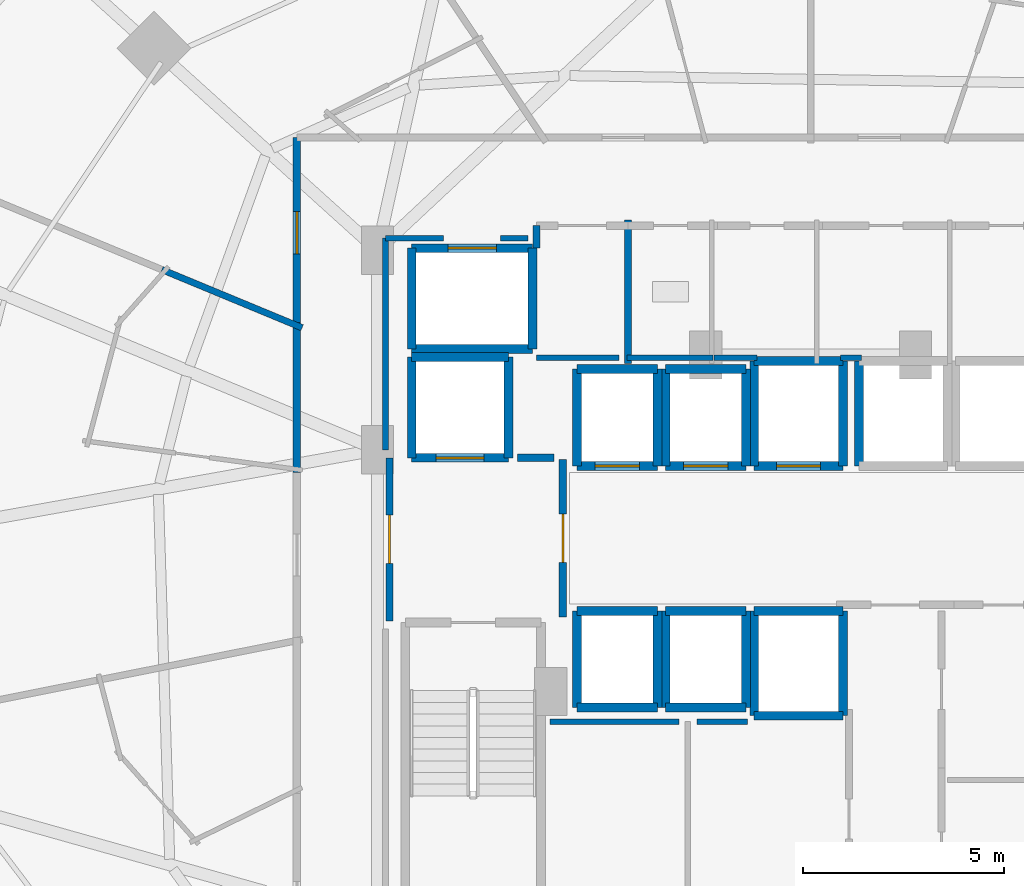
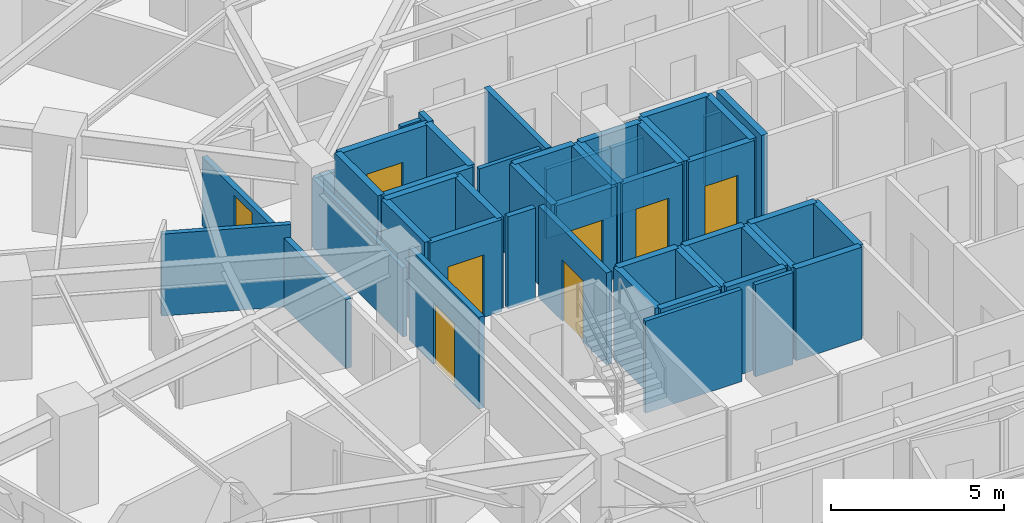
# One storey, part 28 of 35: 50 walls, 8 doors, 8 openings.
"""IFC4 building model written with IfcOpenShell, lengths in metres."""

from ifc_helpers import new_model, si_unit, direction, frame, frame_2d, origin, place, context, subcontext, project, spatial, rectangle, extrude, material, layer, layer_set, type_object, element, fill, save


model = new_model("IFC4")

# Units and contexts
model_context = context("Model", 3, precision=1e-05, world=origin(), true_north=direction((0.0, 1.0)))
body_context = subcontext(model_context, "Body", "Model", "MODEL_VIEW")
ifc_project = project(units=[si_unit("LENGTHUNIT", "METRE"), si_unit("AREAUNIT", "SQUARE_METRE"), si_unit("VOLUMEUNIT", "CUBIC_METRE"), si_unit("PLANEANGLEUNIT", "RADIAN"), si_unit("MASSUNIT", "GRAM", prefix="KILO")], contexts=[model_context])

# Site, building, storey
site_placement = place(None, origin())
site = spatial("IfcSite", under=ifc_project, at=site_placement, CompositionType="ELEMENT")
building_placement = place(site_placement, origin())
building = spatial("IfcBuilding", under=site, at=building_placement, Name="Vorneva Point Tower", CompositionType="ELEMENT")
storey_placement = place(building_placement, frame((0.0, 0.0, 45.0)))
storey = spatial("IfcBuildingStorey", under=building, at=storey_placement, Name="L11", CompositionType="ELEMENT", Elevation=45.0)

# Wall, opening, door
ifc_material_1 = material(Name="Concrete B60 (C50/60)", Category="concrete")
ifc_layer_1 = layer(ifc_material_1, 0.5)
ifc_layer_set_1 = layer_set([ifc_layer_1], Name="Concrete B60 (C50/60)")
wall_type_1 = type_object("IfcWallType", Name="WL-CORE-500", PredefinedType="SHEAR", material=ifc_layer_set_1)
wall_1_placement = place(storey_placement, frame((28.10009765625, 28.0, 0.0), z_axis=(0.0, 0.0, 1.0), x_axis=(1.0, 0.0, 0.0)))
wall_1 = element("IfcWall", 1, at=wall_1_placement, inside=storey, type_object=wall_type_1, Name="L11 Lift FFL1 Shaft Wall -Y", PredefinedType="SHEAR", context=body_context, shape_type="SweptSolid", body=[
    extrude(rectangle(XDim=2.39990234375, YDim=0.219970703125, at=frame_2d((1.199951171875, 0.0))), origin(), (0.0, 0.0, 1.0), 3.239990234375),
])
opening_1_placement = place(wall_1_placement, frame((0.60009765625, 0.0, 0.0)))
opening_1 = element("IfcOpeningElement", 2, at=opening_1_placement, cuts=wall_1, Name="Opening LD-02", PredefinedType="OPENING", context=body_context, shape_type="SweptSolid", body=[
    extrude(rectangle(XDim=1.199951171875, YDim=2.199951171875, at=frame_2d((0.60009765625, 1.10009765625))), frame((0.0, 0.125, 0.0), z_axis=(0.0, -1.0, 0.0), x_axis=(1.0, 0.0, 0.0)), (0.0, 0.0, 1.0), 0.249755859375),
])
ifc_material_2 = material(Name="Brushed stainless steel S304", Category="steel")
door_type_1 = type_object("IfcDoorType", Name="LD-FIRE-1200", OperationType="SLIDING_TO_LEFT", PredefinedType="DOOR", material=ifc_material_2)
door_1_placement = place(opening_1_placement, origin())
door_1 = element("IfcDoor", 3, at=door_1_placement, inside=storey, type_object=door_type_1, Name="L11 Lift FFL1 Sliding Landing Door", OperationType="SLIDING_TO_LEFT", OverallHeight=2.199951171875, OverallWidth=1.199951171875, PredefinedType="DOOR", context=body_context, shape_type="SweptSolid", body=[
    extrude(rectangle(XDim=1.199951171875, YDim=2.199951171875, at=frame_2d((0.60009765625, 1.10009765625))), frame((0.0, 0.02490234375, 0.0), z_axis=(0.0, -1.0, 0.0), x_axis=(1.0, 0.0, 0.0)), (0.0, 0.0, 1.0), 0.050048828125),
])
fill(opening_1, door_1)

# Walls
wall_2_placement = place(storey_placement, frame((30.5, 28.0, 0.0), z_axis=(0.0, 0.0, 1.0), x_axis=(0.0, 1.0, 0.0)))
element("IfcWall", 4, at=wall_2_placement, inside=storey, type_object=wall_type_1, Name="L11 Lift FFL1 Shaft Wall +X", PredefinedType="SHEAR", context=body_context, shape_type="SweptSolid", body=[
    extrude(rectangle(XDim=2.5, YDim=0.219970703125, at=frame_2d((1.25, 0.0))), origin(), (0.0, 0.0, 1.0), 3.239990234375),
])
wall_3_placement = place(storey_placement, frame((30.5, 30.5, 0.0), z_axis=(0.0, 0.0, 1.0), x_axis=(-1.0, 0.0, 0.0)))
element("IfcWall", 5, at=wall_3_placement, inside=storey, type_object=wall_type_1, Name="L11 Lift FFL1 Shaft Wall +Y", PredefinedType="SHEAR", context=body_context, shape_type="SweptSolid", body=[
    extrude(rectangle(XDim=2.39990234375, YDim=0.219970703125, at=frame_2d((1.199951171875, 0.0))), origin(), (0.0, 0.0, 1.0), 3.239990234375),
])
wall_4_placement = place(storey_placement, frame((28.10009765625, 30.5, 0.0), z_axis=(0.0, 0.0, 1.0), x_axis=(0.0, -1.0, 0.0)))
element("IfcWall", 6, at=wall_4_placement, inside=storey, type_object=wall_type_1, Name="L11 Lift FFL1 Shaft Wall -X", PredefinedType="SHEAR", context=body_context, shape_type="SweptSolid", body=[
    extrude(rectangle(XDim=2.5, YDim=0.219970703125, at=frame_2d((1.25, 0.0))), origin(), (0.0, 0.0, 1.0), 3.239990234375),
])
ifc_material_3 = material(Name="Fire-rated acoustic gypsum stud partition", Category="gypsum")
ifc_layer_2 = layer(ifc_material_3, 0.139892578125)
ifc_layer_set_2 = layer_set([ifc_layer_2], Name="Fire-rated acoustic gypsum stud partition")
wall_type_2 = type_object("IfcWallType", Name="WL-PART-140", PredefinedType="PARTITIONING", material=ifc_layer_set_2)
wall_5_placement = place(storey_placement, frame((31.199951171875, 30.47998046875, 0.0), z_axis=(0.0, 0.0, 1.0), x_axis=(1.0, 0.0, 0.0)))
element("IfcWall", 7, at=wall_5_placement, inside=storey, type_object=wall_type_2, Name="L11 Interior Closure Partition 093", PredefinedType="PARTITIONING", context=body_context, shape_type="SweptSolid", body=[
    extrude(rectangle(XDim=2.050048828125, YDim=0.139892578125, at=frame_2d((1.02490234375, 0.0))), origin(), (0.0, 0.0, 1.0), 3.239990234375),
])
wall_6_placement = place(storey_placement, frame((33.43994140625, 30.47998046875, 0.0), z_axis=(0.0, 0.0, 1.0), x_axis=(1.0, 0.0, 0.0)))
element("IfcWall", 8, at=wall_6_placement, inside=storey, type_object=wall_type_2, Name="L11 Interior Closure Partition 094", PredefinedType="PARTITIONING", context=body_context, shape_type="SweptSolid", body=[
    extrude(rectangle(XDim=2.14013671875, YDim=0.139892578125, at=frame_2d((1.070068359375, 0.0))), origin(), (0.0, 0.0, 1.0), 2.431884765625),
])
wall_7_placement = place(storey_placement, frame((35.60009765625, 30.47998046875, 0.0), z_axis=(0.0, 0.0, 1.0), x_axis=(1.0, 0.0, 0.0)))
element("IfcWall", 9, at=wall_7_placement, inside=storey, type_object=wall_type_2, Name="L11 Interior Closure Partition 095", PredefinedType="PARTITIONING", context=body_context, shape_type="SweptSolid", body=[
    extrude(rectangle(XDim=1.06494140625, YDim=0.139892578125, at=frame_2d((0.532470703125, 0.0))), origin(), (0.0, 0.0, 1.0), 2.431884765625),
])
wall_8_placement = place(storey_placement, frame((38.735107421875, 30.47998046875, 0.0), z_axis=(0.0, 0.0, 1.0), x_axis=(1.0, 0.0, 0.0)))
element("IfcWall", 10, at=wall_8_placement, inside=storey, type_object=wall_type_2, Name="L11 Interior Closure Partition 096", PredefinedType="PARTITIONING", context=body_context, shape_type="SweptSolid", body=[
    extrude(rectangle(XDim=0.52978515625, YDim=0.139892578125, at=frame_2d((0.264892578125, 0.0))), origin(), (0.0, 0.0, 1.0), 2.431884765625),
])
wall_9_placement = place(storey_placement, frame((34.72998046875, 21.449951171875, 0.0), z_axis=(0.0, 0.0, 1.0), x_axis=(-1.0, 0.0, 0.0)))
element("IfcWall", 11, at=wall_9_placement, inside=storey, type_object=wall_type_2, Name="L11 Interior Closure Partition 098", PredefinedType="PARTITIONING", context=body_context, shape_type="SweptSolid", body=[
    extrude(rectangle(XDim=3.199951171875, YDim=0.139892578125, at=frame_2d((1.60009765625, 0.0))), origin(), (0.0, 0.0, 1.0), 3.239990234375),
])
wall_10_placement = place(storey_placement, frame((36.43896484375, 21.449951171875, 0.0), z_axis=(0.0, 0.0, 1.0), x_axis=(-1.0, 0.0, 0.0)))
element("IfcWall", 12, at=wall_10_placement, inside=storey, type_object=wall_type_2, Name="L11 Interior Closure Partition 099", PredefinedType="PARTITIONING", context=body_context, shape_type="SweptSolid", body=[
    extrude(rectangle(XDim=1.259033203125, YDim=0.139892578125, at=frame_2d((0.62939453125, 0.0))), origin(), (0.0, 0.0, 1.0), 3.239990234375),
])
wall_11_placement = place(storey_placement, frame((27.449951171875, 28.196044921875, 0.0), z_axis=(0.0, 0.0, 1.0), x_axis=(0.0, 1.0, 0.0)))
element("IfcWall", 13, at=wall_11_placement, inside=storey, type_object=wall_type_2, Name="L11 Interior Closure Partition 106", PredefinedType="PARTITIONING", context=body_context, shape_type="SweptSolid", body=[
    extrude(rectangle(XDim=5.25390625, YDim=0.139892578125, at=frame_2d((2.626953125, 0.0))), origin(), (0.0, 0.0, 1.0), 2.431884765625),
])
wall_12_placement = place(storey_placement, frame((27.449951171875, 33.449951171875, 0.0), z_axis=(0.0, 0.0, 1.0), x_axis=(1.0, 0.0, 0.0)))
element("IfcWall", 14, at=wall_12_placement, inside=storey, type_object=wall_type_2, Name="L11 Interior Closure Partition 107", PredefinedType="PARTITIONING", context=body_context, shape_type="SweptSolid", body=[
    extrude(rectangle(XDim=1.444091796875, YDim=0.139892578125, at=frame_2d((0.72216796875, 0.0))), origin(), (0.0, 0.0, 1.0), 2.431884765625),
])
wall_13_placement = place(storey_placement, frame((30.305908203125, 33.449951171875, 0.0), z_axis=(0.0, 0.0, 1.0), x_axis=(1.0, 0.0, 0.0)))
element("IfcWall", 15, at=wall_13_placement, inside=storey, type_object=wall_type_2, Name="L11 Interior Closure Partition 108", PredefinedType="PARTITIONING", context=body_context, shape_type="SweptSolid", body=[
    extrude(rectangle(XDim=0.674072265625, YDim=0.139892578125, at=frame_2d((0.3369140625, 0.0))), origin(), (0.0, 0.0, 1.0), 3.239990234375),
])
ifc_layer_3 = layer(ifc_material_3, 0.159912109375)
ifc_layer_set_3 = layer_set([ifc_layer_3], Name="Fire-rated acoustic gypsum stud partition")
wall_type_3 = type_object("IfcWallType", Name="WL-PART-160", PredefinedType="PARTITIONING", material=ifc_layer_set_3)
wall_14_placement = place(storey_placement, frame((21.898681640625, 32.66943359375, 0.0), z_axis=(0.0, 0.0, 1.0), x_axis=(0.923843852071, -0.382769561211, 0.0)))
element("IfcWall", 16, at=wall_14_placement, inside=storey, type_object=wall_type_3, Name="L11 Interior Partition 068", PredefinedType="PARTITIONING", context=body_context, shape_type="SweptSolid", body=[
    extrude(rectangle(XDim=3.767578125, YDim=0.159912109375, at=frame_2d((1.8837890625, 0.0))), origin(), (0.0, 0.0, 1.0), 2.885986328125),
])

# Wall, opening, door
ifc_material_4 = material(Name="Autoclaved aerated concrete blockwork", Category="masonry")
ifc_layer_4 = layer(ifc_material_4, 0.179931640625)
ifc_layer_set_4 = layer_set([ifc_layer_4], Name="Autoclaved aerated concrete blockwork")
wall_type_4 = type_object("IfcWallType", Name="WL-PART-180", PredefinedType="PARTITIONING", material=ifc_layer_set_4)
wall_15_placement = place(storey_placement, frame((31.85009765625, 24.044921875, 0.0), z_axis=(0.0, 0.0, 1.0), x_axis=(0.0, 1.0, 0.0)))
wall_15 = element("IfcWall", 17, at=wall_15_placement, inside=storey, type_object=wall_type_4, Name="L11 Interior Partition 001", PredefinedType="PARTITIONING", context=body_context, shape_type="SweptSolid", body=[
    extrude(rectangle(XDim=3.91015625, YDim=0.179931640625, at=frame_2d((1.955078125, 0.0))), origin(), (0.0, 0.0, 1.0), 3.239990234375),
])
opening_2_placement = place(wall_15_placement, frame((1.35498046875, 0.0, 0.0)))
opening_2 = element("IfcOpeningElement", 18, at=opening_2_placement, cuts=wall_15, Name="Opening FD-02", PredefinedType="OPENING", context=body_context, shape_type="SweptSolid", body=[
    extrude(rectangle(XDim=1.199951171875, YDim=2.14990234375, at=frame_2d((0.60009765625, 1.074951171875))), frame((0.0, 0.10498046875, 0.0), z_axis=(0.0, -1.0, 0.0), x_axis=(1.0, 0.0, 0.0)), (0.0, 0.0, 1.0), 0.209716796875),
])
ifc_material_5 = material(Name="Fire-rated powder-coated steel", Category="steel")
door_type_2 = type_object("IfcDoorType", Name="DR-FFL-1200", OperationType="NOTDEFINED", PredefinedType="DOOR", material=ifc_material_5)
door_2_placement = place(opening_2_placement, origin())
door_2 = element("IfcDoor", 19, at=door_2_placement, inside=storey, type_object=door_type_2, Name="L11 Door West Firefighting Lobby / Central Lift Lobby", OperationType="SINGLE_SWING_LEFT", OverallHeight=2.14990234375, OverallWidth=1.199951171875, PredefinedType="DOOR", context=body_context, shape_type="SweptSolid", body=[
    extrude(rectangle(XDim=1.199951171875, YDim=2.14990234375, at=frame_2d((0.60009765625, 1.074951171875))), frame((0.0, 0.02490234375, 0.0), z_axis=(0.0, -1.0, 0.0), x_axis=(1.0, 0.0, 0.0)), (0.0, 0.0, 1.0), 0.050048828125),
])
fill(opening_2, door_2)

wall_16_placement = place(storey_placement, frame((27.550048828125, 28.0, 0.0), z_axis=(0.0, 0.0, 1.0), x_axis=(0.0, -1.0, 0.0)))
wall_16 = element("IfcWall", 20, at=wall_16_placement, inside=storey, type_object=wall_type_4, Name="L11 Interior Partition 002", PredefinedType="PARTITIONING", context=body_context, shape_type="SweptSolid", body=[
    extrude(rectangle(XDim=4.050048828125, YDim=0.179931640625, at=frame_2d((2.02490234375, 0.0))), origin(), (0.0, 0.0, 1.0), 3.239990234375),
])
opening_3_placement = place(wall_16_placement, frame((1.425048828125, 0.0, 0.0)))
opening_3 = element("IfcOpeningElement", 21, at=opening_3_placement, cuts=wall_16, Name="Opening FD-02", PredefinedType="OPENING", context=body_context, shape_type="SweptSolid", body=[
    extrude(rectangle(XDim=1.199951171875, YDim=2.14990234375, at=frame_2d((0.60009765625, 1.074951171875))), frame((0.0, 0.10498046875, 0.0), z_axis=(0.0, -1.0, 0.0), x_axis=(1.0, 0.0, 0.0)), (0.0, 0.0, 1.0), 0.209716796875),
])
door_3_placement = place(opening_3_placement, origin())
door_3 = element("IfcDoor", 22, at=door_3_placement, inside=storey, type_object=door_type_2, Name="L11 Door West Firefighting Lobby / L11 Circulation Corridor", OperationType="SINGLE_SWING_RIGHT", OverallHeight=2.14990234375, OverallWidth=1.199951171875, PredefinedType="DOOR", context=body_context, shape_type="SweptSolid", body=[
    extrude(rectangle(XDim=1.199951171875, YDim=2.14990234375, at=frame_2d((0.60009765625, 1.074951171875))), frame((0.0, 0.02490234375, 0.0), z_axis=(0.0, -1.0, 0.0), x_axis=(1.0, 0.0, 0.0)), (0.0, 0.0, 1.0), 0.050048828125),
])
fill(opening_3, door_3)

# Walls
wall_17_placement = place(storey_placement, frame((33.469970703125, 30.340087890625, 0.0), z_axis=(0.0, 0.0, 1.0), x_axis=(0.0, 1.0, 0.0)))
element("IfcWall", 23, at=wall_17_placement, inside=storey, type_object=wall_type_4, Name="L11 Interior Partition 006", PredefinedType="PARTITIONING", context=body_context, shape_type="SweptSolid", body=[
    extrude(rectangle(XDim=3.559814453125, YDim=0.179931640625, at=frame_2d((1.77978515625, 0.0))), origin(), (0.0, 0.0, 1.0), 3.239990234375),
])
wall_18_placement = place(storey_placement, frame((31.199951171875, 33.760009765625, 0.0), z_axis=(0.0, 0.0, 1.0), x_axis=(0.0, -1.0, 0.0)))
element("IfcWall", 24, at=wall_18_placement, inside=storey, type_object=wall_type_4, Name="L11 Interior Partition 008", PredefinedType="PARTITIONING", context=body_context, shape_type="SweptSolid", body=[
    extrude(rectangle(XDim=0.56005859375, YDim=0.179931640625, at=frame_2d((0.280029296875, 0.0))), origin(), (0.0, 0.0, 1.0), 3.239990234375),
])

# Wall, opening, door
wall_19_placement = place(storey_placement, frame((25.25, 35.949951171875, 0.0), z_axis=(0.0, 0.0, 1.0), x_axis=(0.0, -1.0, 0.0)))
wall_19 = element("IfcWall", 25, at=wall_19_placement, inside=storey, type_object=wall_type_4, Name="L11 Interior Partition 035", PredefinedType="PARTITIONING", context=body_context, shape_type="SweptSolid", body=[
    extrude(rectangle(XDim=4.72900390625, YDim=0.179931640625, at=frame_2d((2.364501953125, 0.0))), origin(), (0.0, 0.0, 1.0), 2.431884765625),
])
opening_4_placement = place(wall_19_placement, frame((1.839599609375, 0.0, 0.0)))
opening_4 = element("IfcOpeningElement", 26, at=opening_4_placement, cuts=wall_19, Name="Opening UD-02", PredefinedType="OPENING", context=body_context, shape_type="SweptSolid", body=[
    extrude(rectangle(XDim=1.050048828125, YDim=2.199951171875, at=frame_2d((0.52490234375, 1.10009765625))), frame((0.0, 0.10498046875, 0.0), z_axis=(0.0, -1.0, 0.0), x_axis=(1.0, 0.0, 0.0)), (0.0, 0.0, 1.0), 0.209716796875),
])
ifc_material_6 = material(Name="Engineered oak fire-rated door leaf", Category="wood")
door_type_3 = type_object("IfcDoorType", Name="DR-SUITE-1050", OperationType="NOTDEFINED", PredefinedType="DOOR", material=ifc_material_6)
door_4_placement = place(opening_4_placement, origin())
door_4 = element("IfcDoor", 27, at=door_4_placement, inside=storey, type_object=door_type_3, Name="L11 Door L11 Circulation Corridor / Corner Suite L11-04", OperationType="SINGLE_SWING_RIGHT", OverallHeight=2.199951171875, OverallWidth=1.050048828125, PredefinedType="DOOR", context=body_context, shape_type="SweptSolid", body=[
    extrude(rectangle(XDim=1.050048828125, YDim=2.199951171875, at=frame_2d((0.52490234375, 1.10009765625))), frame((0.0, 0.02490234375, 0.0), z_axis=(0.0, -1.0, 0.0), x_axis=(1.0, 0.0, 0.0)), (0.0, 0.0, 1.0), 0.050048828125),
])
fill(opening_4, door_4)

# Walls
wall_20_placement = place(storey_placement, frame((25.25, 31.361083984375, 0.0), z_axis=(0.0, 0.0, 1.0), x_axis=(0.0, -1.0, 0.0)))
element("IfcWall", 28, at=wall_20_placement, inside=storey, type_object=wall_type_4, Name="L11 Interior Partition 038", PredefinedType="PARTITIONING", context=body_context, shape_type="SweptSolid", body=[
    extrude(rectangle(XDim=3.72705078125, YDim=0.179931640625, at=frame_2d((1.863525390625, 0.0))), origin(), (0.0, 0.0, 1.0), 2.431884765625),
])
wall_21_placement = place(storey_placement, frame((31.635009765625, 28.0, 0.0), z_axis=(0.0, 0.0, 1.0), x_axis=(-1.0, 0.0, 0.0)))
element("IfcWall", 29, at=wall_21_placement, inside=storey, type_object=wall_type_4, Name="L11 Interior Closure Partition 091", PredefinedType="PARTITIONING", context=body_context, shape_type="SweptSolid", body=[
    extrude(rectangle(XDim=0.9150390625, YDim=0.179931640625, at=frame_2d((0.45751953125, 0.0))), origin(), (0.0, 0.0, 1.0), 3.239990234375),
])

# Wall, opening, door
ifc_material_7 = material(Name="Concrete B50 (C40/50)", Category="concrete")
ifc_layer_5 = layer(ifc_material_7, 0.219970703125)
ifc_layer_set_5 = layer_set([ifc_layer_5], Name="Concrete B50 (C40/50)")
wall_type_5 = type_object("IfcWallType", Name="WL-SHFT-220", PredefinedType="SOLIDWALL", material=ifc_layer_set_5)
wall_22_placement = place(storey_placement, frame((32.199951171875, 27.800048828125, 0.0), z_axis=(0.0, 0.0, 1.0), x_axis=(1.0, 0.0, 0.0)))
wall_22 = element("IfcWall", 30, at=wall_22_placement, inside=storey, type_object=wall_type_5, Name="L11 Lift PL1 Shaft Wall -Y", PredefinedType="SOLIDWALL", context=body_context, shape_type="SweptSolid", body=[
    extrude(rectangle(XDim=2.0, YDim=0.219970703125, at=frame_2d((1.0, 0.0))), origin(), (0.0, 0.0, 1.0), 3.239990234375),
])
opening_5_placement = place(wall_22_placement, frame((0.449951171875, 0.0, 0.0)))
opening_5 = element("IfcOpeningElement", 31, at=opening_5_placement, cuts=wall_22, Name="Opening LD-01", PredefinedType="OPENING", context=body_context, shape_type="SweptSolid", body=[
    extrude(rectangle(XDim=1.10009765625, YDim=2.199951171875, at=frame_2d((0.550048828125, 1.10009765625))), frame((0.0, 0.125, 0.0), z_axis=(0.0, -1.0, 0.0), x_axis=(1.0, 0.0, 0.0)), (0.0, 0.0, 1.0), 0.249755859375),
])
door_type_4 = type_object("IfcDoorType", Name="LD-PASS-1100", OperationType="SLIDING_TO_LEFT", PredefinedType="DOOR", material=ifc_material_2)
door_5_placement = place(opening_5_placement, origin())
door_5 = element("IfcDoor", 32, at=door_5_placement, inside=storey, type_object=door_type_4, Name="L11 Lift PL1 Sliding Landing Door", OperationType="SLIDING_TO_LEFT", OverallHeight=2.199951171875, OverallWidth=1.10009765625, PredefinedType="DOOR", context=body_context, shape_type="SweptSolid", body=[
    extrude(rectangle(XDim=1.10009765625, YDim=2.199951171875, at=frame_2d((0.550048828125, 1.10009765625))), frame((0.0, 0.02490234375, 0.0), z_axis=(0.0, -1.0, 0.0), x_axis=(1.0, 0.0, 0.0)), (0.0, 0.0, 1.0), 0.050048828125),
])
fill(opening_5, door_5)

# Walls
wall_23_placement = place(storey_placement, frame((34.199951171875, 27.800048828125, 0.0), z_axis=(0.0, 0.0, 1.0), x_axis=(0.0, 1.0, 0.0)))
element("IfcWall", 33, at=wall_23_placement, inside=storey, type_object=wall_type_5, Name="L11 Lift PL1 Shaft Wall +X", PredefinedType="SOLIDWALL", context=body_context, shape_type="SweptSolid", body=[
    extrude(rectangle(XDim=2.39990234375, YDim=0.219970703125, at=frame_2d((1.199951171875, 0.0))), origin(), (0.0, 0.0, 1.0), 3.239990234375),
])
wall_24_placement = place(storey_placement, frame((34.199951171875, 30.199951171875, 0.0), z_axis=(0.0, 0.0, 1.0), x_axis=(-1.0, 0.0, 0.0)))
element("IfcWall", 34, at=wall_24_placement, inside=storey, type_object=wall_type_5, Name="L11 Lift PL1 Shaft Wall +Y", PredefinedType="SOLIDWALL", context=body_context, shape_type="SweptSolid", body=[
    extrude(rectangle(XDim=2.0, YDim=0.219970703125, at=frame_2d((1.0, 0.0))), origin(), (0.0, 0.0, 1.0), 3.239990234375),
])
wall_25_placement = place(storey_placement, frame((32.199951171875, 30.199951171875, 0.0), z_axis=(0.0, 0.0, 1.0), x_axis=(0.0, -1.0, 0.0)))
element("IfcWall", 35, at=wall_25_placement, inside=storey, type_object=wall_type_5, Name="L11 Lift PL1 Shaft Wall -X", PredefinedType="SOLIDWALL", context=body_context, shape_type="SweptSolid", body=[
    extrude(rectangle(XDim=2.39990234375, YDim=0.219970703125, at=frame_2d((1.199951171875, 0.0))), origin(), (0.0, 0.0, 1.0), 3.239990234375),
])

# Wall, opening, door
wall_26_placement = place(storey_placement, frame((34.39990234375, 27.800048828125, 0.0), z_axis=(0.0, 0.0, 1.0), x_axis=(1.0, 0.0, 0.0)))
wall_26 = element("IfcWall", 36, at=wall_26_placement, inside=storey, type_object=wall_type_5, Name="L11 Lift PL2 Shaft Wall -Y", PredefinedType="SOLIDWALL", context=body_context, shape_type="SweptSolid", body=[
    extrude(rectangle(XDim=2.0, YDim=0.219970703125, at=frame_2d((1.0, 0.0))), origin(), (0.0, 0.0, 1.0), 3.239990234375),
])
opening_6_placement = place(wall_26_placement, frame((0.449951171875, 0.0, 0.0)))
opening_6 = element("IfcOpeningElement", 37, at=opening_6_placement, cuts=wall_26, Name="Opening LD-01", PredefinedType="OPENING", context=body_context, shape_type="SweptSolid", body=[
    extrude(rectangle(XDim=1.10009765625, YDim=2.199951171875, at=frame_2d((0.550048828125, 1.10009765625))), frame((0.0, 0.125, 0.0), z_axis=(0.0, -1.0, 0.0), x_axis=(1.0, 0.0, 0.0)), (0.0, 0.0, 1.0), 0.249755859375),
])
door_6_placement = place(opening_6_placement, origin())
door_6 = element("IfcDoor", 38, at=door_6_placement, inside=storey, type_object=door_type_4, Name="L11 Lift PL2 Sliding Landing Door", OperationType="SLIDING_TO_LEFT", OverallHeight=2.199951171875, OverallWidth=1.10009765625, PredefinedType="DOOR", context=body_context, shape_type="SweptSolid", body=[
    extrude(rectangle(XDim=1.10009765625, YDim=2.199951171875, at=frame_2d((0.550048828125, 1.10009765625))), frame((0.0, 0.02490234375, 0.0), z_axis=(0.0, -1.0, 0.0), x_axis=(1.0, 0.0, 0.0)), (0.0, 0.0, 1.0), 0.050048828125),
])
fill(opening_6, door_6)

# Walls
wall_27_placement = place(storey_placement, frame((36.39990234375, 27.800048828125, 0.0), z_axis=(0.0, 0.0, 1.0), x_axis=(0.0, 1.0, 0.0)))
element("IfcWall", 39, at=wall_27_placement, inside=storey, type_object=wall_type_5, Name="L11 Lift PL2 Shaft Wall +X", PredefinedType="SOLIDWALL", context=body_context, shape_type="SweptSolid", body=[
    extrude(rectangle(XDim=2.39990234375, YDim=0.219970703125, at=frame_2d((1.199951171875, 0.0))), origin(), (0.0, 0.0, 1.0), 3.239990234375),
])
wall_28_placement = place(storey_placement, frame((36.39990234375, 30.199951171875, 0.0), z_axis=(0.0, 0.0, 1.0), x_axis=(-1.0, 0.0, 0.0)))
element("IfcWall", 40, at=wall_28_placement, inside=storey, type_object=wall_type_5, Name="L11 Lift PL2 Shaft Wall +Y", PredefinedType="SOLIDWALL", context=body_context, shape_type="SweptSolid", body=[
    extrude(rectangle(XDim=2.0, YDim=0.219970703125, at=frame_2d((1.0, 0.0))), origin(), (0.0, 0.0, 1.0), 3.239990234375),
])
wall_29_placement = place(storey_placement, frame((34.39990234375, 30.199951171875, 0.0), z_axis=(0.0, 0.0, 1.0), x_axis=(0.0, -1.0, 0.0)))
element("IfcWall", 41, at=wall_29_placement, inside=storey, type_object=wall_type_5, Name="L11 Lift PL2 Shaft Wall -X", PredefinedType="SOLIDWALL", context=body_context, shape_type="SweptSolid", body=[
    extrude(rectangle(XDim=2.39990234375, YDim=0.219970703125, at=frame_2d((1.199951171875, 0.0))), origin(), (0.0, 0.0, 1.0), 3.239990234375),
])

# Wall, opening, door
wall_30_placement = place(storey_placement, frame((36.60009765625, 27.800048828125, 0.0), z_axis=(0.0, 0.0, 1.0), x_axis=(1.0, 0.0, 0.0)))
wall_30 = element("IfcWall", 42, at=wall_30_placement, inside=storey, type_object=wall_type_5, Name="L11 Lift PL3 Shaft Wall -Y", PredefinedType="SOLIDWALL", context=body_context, shape_type="SweptSolid", body=[
    extrude(rectangle(XDim=2.199951171875, YDim=0.219970703125, at=frame_2d((1.10009765625, 0.0))), origin(), (0.0, 0.0, 1.0), 3.239990234375),
])
opening_7_placement = place(wall_30_placement, frame((0.550048828125, 0.0, 0.0)))
opening_7 = element("IfcOpeningElement", 43, at=opening_7_placement, cuts=wall_30, Name="Opening LD-01", PredefinedType="OPENING", context=body_context, shape_type="SweptSolid", body=[
    extrude(rectangle(XDim=1.10009765625, YDim=2.199951171875, at=frame_2d((0.550048828125, 1.10009765625))), frame((0.0, 0.125, 0.0), z_axis=(0.0, -1.0, 0.0), x_axis=(1.0, 0.0, 0.0)), (0.0, 0.0, 1.0), 0.249755859375),
])
door_7_placement = place(opening_7_placement, origin())
door_7 = element("IfcDoor", 44, at=door_7_placement, inside=storey, type_object=door_type_4, Name="L11 Lift PL3 Sliding Landing Door", OperationType="SLIDING_TO_LEFT", OverallHeight=2.199951171875, OverallWidth=1.10009765625, PredefinedType="DOOR", context=body_context, shape_type="SweptSolid", body=[
    extrude(rectangle(XDim=1.10009765625, YDim=2.199951171875, at=frame_2d((0.550048828125, 1.10009765625))), frame((0.0, 0.02490234375, 0.0), z_axis=(0.0, -1.0, 0.0), x_axis=(1.0, 0.0, 0.0)), (0.0, 0.0, 1.0), 0.050048828125),
])
fill(opening_7, door_7)

# Walls
wall_31_placement = place(storey_placement, frame((38.800048828125, 27.800048828125, 0.0), z_axis=(0.0, 0.0, 1.0), x_axis=(0.0, 1.0, 0.0)))
element("IfcWall", 45, at=wall_31_placement, inside=storey, type_object=wall_type_5, Name="L11 Lift PL3 Shaft Wall +X", PredefinedType="SOLIDWALL", context=body_context, shape_type="SweptSolid", body=[
    extrude(rectangle(XDim=2.599853515625, YDim=0.219970703125, at=frame_2d((1.2998046875, 0.0))), origin(), (0.0, 0.0, 1.0), 3.239990234375),
])
wall_32_placement = place(storey_placement, frame((38.800048828125, 30.39990234375, 0.0), z_axis=(0.0, 0.0, 1.0), x_axis=(-1.0, 0.0, 0.0)))
element("IfcWall", 46, at=wall_32_placement, inside=storey, type_object=wall_type_5, Name="L11 Lift PL3 Shaft Wall +Y", PredefinedType="SOLIDWALL", context=body_context, shape_type="SweptSolid", body=[
    extrude(rectangle(XDim=2.199951171875, YDim=0.219970703125, at=frame_2d((1.10009765625, 0.0))), origin(), (0.0, 0.0, 1.0), 3.239990234375),
])
wall_33_placement = place(storey_placement, frame((36.60009765625, 30.39990234375, 0.0), z_axis=(0.0, 0.0, 1.0), x_axis=(0.0, -1.0, 0.0)))
element("IfcWall", 47, at=wall_33_placement, inside=storey, type_object=wall_type_5, Name="L11 Lift PL3 Shaft Wall -X", PredefinedType="SOLIDWALL", context=body_context, shape_type="SweptSolid", body=[
    extrude(rectangle(XDim=2.599853515625, YDim=0.219970703125, at=frame_2d((1.2998046875, 0.0))), origin(), (0.0, 0.0, 1.0), 3.239990234375),
])
wall_34_placement = place(storey_placement, frame((32.199951171875, 21.800048828125, 0.0), z_axis=(0.0, 0.0, 1.0), x_axis=(1.0, 0.0, 0.0)))
element("IfcWall", 48, at=wall_34_placement, inside=storey, type_object=wall_type_5, Name="L11 Lift PL4 Shaft Wall -Y", PredefinedType="SOLIDWALL", context=body_context, shape_type="SweptSolid", body=[
    extrude(rectangle(XDim=2.0, YDim=0.219970703125, at=frame_2d((1.0, 0.0))), origin(), (0.0, 0.0, 1.0), 3.239990234375),
])
wall_35_placement = place(storey_placement, frame((34.199951171875, 21.800048828125, 0.0), z_axis=(0.0, 0.0, 1.0), x_axis=(0.0, 1.0, 0.0)))
element("IfcWall", 49, at=wall_35_placement, inside=storey, type_object=wall_type_5, Name="L11 Lift PL4 Shaft Wall +X", PredefinedType="SOLIDWALL", context=body_context, shape_type="SweptSolid", body=[
    extrude(rectangle(XDim=2.39990234375, YDim=0.219970703125, at=frame_2d((1.199951171875, 0.0))), origin(), (0.0, 0.0, 1.0), 3.239990234375),
])
wall_36_placement = place(storey_placement, frame((34.199951171875, 24.199951171875, 0.0), z_axis=(0.0, 0.0, 1.0), x_axis=(-1.0, 0.0, 0.0)))
element("IfcWall", 50, at=wall_36_placement, inside=storey, type_object=wall_type_5, Name="L11 Lift PL4 Shaft Wall +Y", PredefinedType="SOLIDWALL", context=body_context, shape_type="SweptSolid", body=[
    extrude(rectangle(XDim=2.0, YDim=0.219970703125, at=frame_2d((1.0, 0.0))), origin(), (0.0, 0.0, 1.0), 3.239990234375),
])
wall_37_placement = place(storey_placement, frame((32.199951171875, 24.199951171875, 0.0), z_axis=(0.0, 0.0, 1.0), x_axis=(0.0, -1.0, 0.0)))
element("IfcWall", 51, at=wall_37_placement, inside=storey, type_object=wall_type_5, Name="L11 Lift PL4 Shaft Wall -X", PredefinedType="SOLIDWALL", context=body_context, shape_type="SweptSolid", body=[
    extrude(rectangle(XDim=2.39990234375, YDim=0.219970703125, at=frame_2d((1.199951171875, 0.0))), origin(), (0.0, 0.0, 1.0), 3.239990234375),
])
wall_38_placement = place(storey_placement, frame((34.39990234375, 21.800048828125, 0.0), z_axis=(0.0, 0.0, 1.0), x_axis=(1.0, 0.0, 0.0)))
element("IfcWall", 52, at=wall_38_placement, inside=storey, type_object=wall_type_5, Name="L11 Lift PL5 Shaft Wall -Y", PredefinedType="SOLIDWALL", context=body_context, shape_type="SweptSolid", body=[
    extrude(rectangle(XDim=2.0, YDim=0.219970703125, at=frame_2d((1.0, 0.0))), origin(), (0.0, 0.0, 1.0), 3.239990234375),
])
wall_39_placement = place(storey_placement, frame((36.39990234375, 21.800048828125, 0.0), z_axis=(0.0, 0.0, 1.0), x_axis=(0.0, 1.0, 0.0)))
element("IfcWall", 53, at=wall_39_placement, inside=storey, type_object=wall_type_5, Name="L11 Lift PL5 Shaft Wall +X", PredefinedType="SOLIDWALL", context=body_context, shape_type="SweptSolid", body=[
    extrude(rectangle(XDim=2.39990234375, YDim=0.219970703125, at=frame_2d((1.199951171875, 0.0))), origin(), (0.0, 0.0, 1.0), 3.239990234375),
])
wall_40_placement = place(storey_placement, frame((36.39990234375, 24.199951171875, 0.0), z_axis=(0.0, 0.0, 1.0), x_axis=(-1.0, 0.0, 0.0)))
element("IfcWall", 54, at=wall_40_placement, inside=storey, type_object=wall_type_5, Name="L11 Lift PL5 Shaft Wall +Y", PredefinedType="SOLIDWALL", context=body_context, shape_type="SweptSolid", body=[
    extrude(rectangle(XDim=2.0, YDim=0.219970703125, at=frame_2d((1.0, 0.0))), origin(), (0.0, 0.0, 1.0), 3.239990234375),
])
wall_41_placement = place(storey_placement, frame((34.39990234375, 24.199951171875, 0.0), z_axis=(0.0, 0.0, 1.0), x_axis=(0.0, -1.0, 0.0)))
element("IfcWall", 55, at=wall_41_placement, inside=storey, type_object=wall_type_5, Name="L11 Lift PL5 Shaft Wall -X", PredefinedType="SOLIDWALL", context=body_context, shape_type="SweptSolid", body=[
    extrude(rectangle(XDim=2.39990234375, YDim=0.219970703125, at=frame_2d((1.199951171875, 0.0))), origin(), (0.0, 0.0, 1.0), 3.239990234375),
])
wall_42_placement = place(storey_placement, frame((36.60009765625, 21.60009765625, 0.0), z_axis=(0.0, 0.0, 1.0), x_axis=(1.0, 0.0, 0.0)))
element("IfcWall", 56, at=wall_42_placement, inside=storey, type_object=wall_type_5, Name="L11 Lift PL6 Shaft Wall -Y", PredefinedType="SOLIDWALL", context=body_context, shape_type="SweptSolid", body=[
    extrude(rectangle(XDim=2.199951171875, YDim=0.219970703125, at=frame_2d((1.10009765625, 0.0))), origin(), (0.0, 0.0, 1.0), 3.239990234375),
])
wall_43_placement = place(storey_placement, frame((38.800048828125, 21.60009765625, 0.0), z_axis=(0.0, 0.0, 1.0), x_axis=(0.0, 1.0, 0.0)))
element("IfcWall", 57, at=wall_43_placement, inside=storey, type_object=wall_type_5, Name="L11 Lift PL6 Shaft Wall +X", PredefinedType="SOLIDWALL", context=body_context, shape_type="SweptSolid", body=[
    extrude(rectangle(XDim=2.599853515625, YDim=0.219970703125, at=frame_2d((1.2998046875, 0.0))), origin(), (0.0, 0.0, 1.0), 3.239990234375),
])
wall_44_placement = place(storey_placement, frame((38.800048828125, 24.199951171875, 0.0), z_axis=(0.0, 0.0, 1.0), x_axis=(-1.0, 0.0, 0.0)))
element("IfcWall", 58, at=wall_44_placement, inside=storey, type_object=wall_type_5, Name="L11 Lift PL6 Shaft Wall +Y", PredefinedType="SOLIDWALL", context=body_context, shape_type="SweptSolid", body=[
    extrude(rectangle(XDim=2.199951171875, YDim=0.219970703125, at=frame_2d((1.10009765625, 0.0))), origin(), (0.0, 0.0, 1.0), 3.239990234375),
])
for number, where, z_axis, x_axis, name in (
    (59, (36.60009765625, 24.199951171875, 0.0), (0.0, 0.0, 1.0), (0.0, -1.0, 0.0), "L11 Lift PL6 Shaft Wall -X"),
    (60, (39.199951171875, 30.39990234375, 0.0), (0.0, 0.0, 1.0), (0.0, -1.0, 0.0), "L11 Lift PL7 Shaft Wall -X"),
):
    element("IfcWall", number, at=place(storey_placement, frame(where, z_axis=z_axis, x_axis=x_axis)), inside=storey, type_object=wall_type_5, Name=name, PredefinedType="SOLIDWALL", context=body_context, shape_type="SweptSolid", body=[
        extrude(rectangle(XDim=2.599853515625, YDim=0.219970703125, at=frame_2d((1.2998046875, 0.0))), origin(), (0.0, 0.0, 1.0), 3.239990234375),
    ])
wall_45_placement = place(storey_placement, frame((28.10009765625, 30.699951171875, 0.0), z_axis=(0.0, 0.0, 1.0), x_axis=(1.0, 0.0, 0.0)))
element("IfcWall", 61, at=wall_45_placement, inside=storey, type_object=wall_type_5, Name="L11 Lift SVL1 Shaft Wall -Y", PredefinedType="SOLIDWALL", context=body_context, shape_type="SweptSolid", body=[
    extrude(rectangle(XDim=3.0, YDim=0.219970703125, at=frame_2d((1.5, 0.0))), origin(), (0.0, 0.0, 1.0), 3.239990234375),
])
wall_46_placement = place(storey_placement, frame((31.10009765625, 30.699951171875, 0.0), z_axis=(0.0, 0.0, 1.0), x_axis=(0.0, 1.0, 0.0)))
element("IfcWall", 62, at=wall_46_placement, inside=storey, type_object=wall_type_5, Name="L11 Lift SVL1 Shaft Wall +X", PredefinedType="SOLIDWALL", context=body_context, shape_type="SweptSolid", body=[
    extrude(rectangle(XDim=2.5, YDim=0.219970703125, at=frame_2d((1.25, 0.0))), origin(), (0.0, 0.0, 1.0), 3.239990234375),
])

# Wall, opening, door
wall_47_placement = place(storey_placement, frame((31.10009765625, 33.199951171875, 0.0), z_axis=(0.0, 0.0, 1.0), x_axis=(-1.0, 0.0, 0.0)))
wall_47 = element("IfcWall", 63, at=wall_47_placement, inside=storey, type_object=wall_type_5, Name="L11 Lift SVL1 Shaft Wall +Y", PredefinedType="SOLIDWALL", context=body_context, shape_type="SweptSolid", body=[
    extrude(rectangle(XDim=3.0, YDim=0.219970703125, at=frame_2d((1.5, 0.0))), origin(), (0.0, 0.0, 1.0), 3.239990234375),
])
opening_8_placement = place(wall_47_placement, frame((0.89990234375, 0.0, 0.0)))
opening_8 = element("IfcOpeningElement", 64, at=opening_8_placement, cuts=wall_47, Name="Opening LD-02", PredefinedType="OPENING", context=body_context, shape_type="SweptSolid", body=[
    extrude(rectangle(XDim=1.199951171875, YDim=2.199951171875, at=frame_2d((0.60009765625, 1.10009765625))), frame((0.0, 0.125, 0.0), z_axis=(0.0, -1.0, 0.0), x_axis=(1.0, 0.0, 0.0)), (0.0, 0.0, 1.0), 0.249755859375),
])
door_8_placement = place(opening_8_placement, origin())
door_8 = element("IfcDoor", 65, at=door_8_placement, inside=storey, type_object=door_type_1, Name="L11 Lift SVL1 Sliding Landing Door", OperationType="SLIDING_TO_LEFT", OverallHeight=2.199951171875, OverallWidth=1.199951171875, PredefinedType="DOOR", context=body_context, shape_type="SweptSolid", body=[
    extrude(rectangle(XDim=1.199951171875, YDim=2.199951171875, at=frame_2d((0.60009765625, 1.10009765625))), frame((0.0, 0.02490234375, 0.0), z_axis=(0.0, -1.0, 0.0), x_axis=(1.0, 0.0, 0.0)), (0.0, 0.0, 1.0), 0.050048828125),
])
fill(opening_8, door_8)

# Wall
wall_48_placement = place(storey_placement, frame((28.10009765625, 33.199951171875, 0.0), z_axis=(0.0, 0.0, 1.0), x_axis=(0.0, -1.0, 0.0)))
element("IfcWall", 66, at=wall_48_placement, inside=storey, type_object=wall_type_5, Name="L11 Lift SVL1 Shaft Wall -X", PredefinedType="SOLIDWALL", context=body_context, shape_type="SweptSolid", body=[
    extrude(rectangle(XDim=2.5, YDim=0.219970703125, at=frame_2d((1.25, 0.0))), origin(), (0.0, 0.0, 1.0), 3.239990234375),
])

save(model, "model.ifc")
